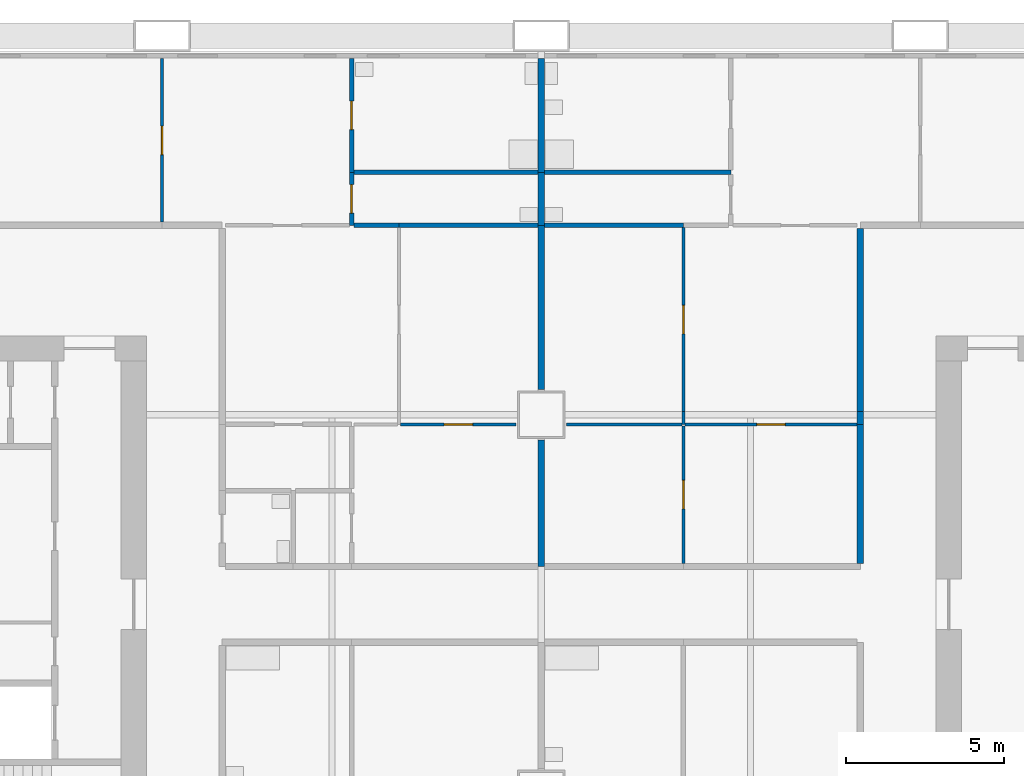
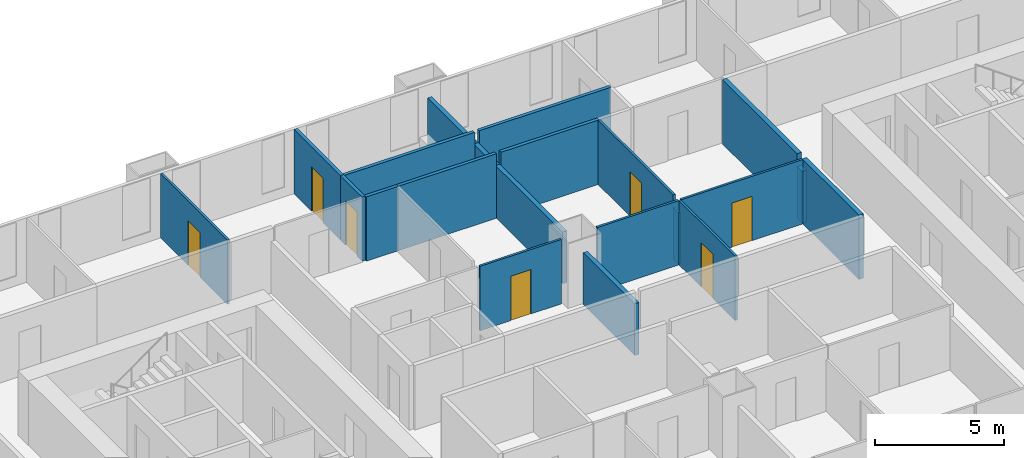
# One storey, part 9 of 14: 21 walls, 7 doors, 7 openings.
"""IFC4 building model written with IfcOpenShell, lengths in metres."""

from ifc_helpers import new_model, si_unit, direction, frame, frame_2d, origin, place, context, subcontext, project, spatial, rectangle, extrude, material, layer, layer_set, type_object, element, fill, save


model = new_model("IFC4")

# Units and contexts
model_context = context("Model", 3, precision=1e-05, world=origin(), true_north=direction((0.0, 1.0)))
body_context = subcontext(model_context, "Body", "Model", "MODEL_VIEW")
ifc_project = project(units=[si_unit("LENGTHUNIT", "METRE"), si_unit("AREAUNIT", "SQUARE_METRE"), si_unit("VOLUMEUNIT", "CUBIC_METRE"), si_unit("PLANEANGLEUNIT", "RADIAN"), si_unit("MASSUNIT", "GRAM", prefix="KILO")], contexts=[model_context])

# Site, building, storey
site_placement = place(None, origin())
site = spatial("IfcSite", under=ifc_project, at=site_placement, CompositionType="ELEMENT")
building_placement = place(site_placement, origin())
building = spatial("IfcBuilding", under=site, at=building_placement, Name="Kitamizu Gate Tower and Museum", CompositionType="ELEMENT")
storey_placement = place(building_placement, frame((0.0, 0.0, 33.449951171875)))
storey = spatial("IfcBuildingStorey", under=building, at=storey_placement, Name="L06", CompositionType="ELEMENT", Elevation=33.449951171875)

# Wall, opening, door
ifc_material_1 = material(Name="Gypsum board on galvanised stud")
ifc_layer_1 = layer(ifc_material_1, 0.10009765625)
ifc_layer_set_1 = layer_set([ifc_layer_1], Name="Gypsum board on galvanised stud")
wall_type_1 = type_object("IfcWallType", Name="Partition 100 NOT RATED", PredefinedType="PARTITIONING", material=ifc_layer_set_1)
wall_1_placement = place(storey_placement, frame((24.0, 42.10009765625, 0.0), z_axis=(0.0, 0.0, 1.0), x_axis=(0.0, 1.0, 0.0)))
wall_1 = element("IfcWall", 1, at=wall_1_placement, inside=storey, type_object=wall_type_1, Name="Partition L06-150", PredefinedType="PARTITIONING", context=body_context, shape_type="SweptSolid", body=[
    extrude(rectangle(XDim=5.179931640625, YDim=0.10009765625, at=frame_2d((2.58984375, 0.0))), origin(), (0.0, 0.0, 1.0), 3.050048828125),
])
opening_1_placement = place(wall_1_placement, frame((2.139892578125, 0.0, 0.0)))
opening_1 = element("IfcOpeningElement", 2, at=opening_1_placement, cuts=wall_1, Name="Opening L06-059", PredefinedType="OPENING", context=body_context, shape_type="SweptSolid", body=[
    extrude(rectangle(XDim=0.89990234375, YDim=2.10009765625, at=frame_2d((0.449951171875, 1.050048828125))), frame((0.0, 0.06005859375, 0.0), z_axis=(0.0, -1.0, 0.0), x_axis=(1.0, 0.0, 0.0)), (0.0, 0.0, 1.0), 0.1201171875),
])
ifc_material_2 = material(Name="Timber door set", Category="wood")
door_type_1 = type_object("IfcDoorType", Name="Room door 900", OperationType="NOTDEFINED", PredefinedType="DOOR", material=ifc_material_2)
door_1_placement = place(opening_1_placement, origin())
door_1 = element("IfcDoor", 3, at=door_1_placement, inside=storey, type_object=door_type_1, Name="Door L06-059", OperationType="SINGLE_SWING_LEFT", OverallHeight=2.10009765625, OverallWidth=0.89990234375, PredefinedType="DOOR", context=body_context, shape_type="SweptSolid", body=[
    extrude(rectangle(XDim=0.89990234375, YDim=2.10009765625, at=frame_2d((0.449951171875, 1.050048828125))), frame((0.0, 0.02490234375, 0.0), z_axis=(0.0, -1.0, 0.0), x_axis=(1.0, 0.0, 0.0)), (0.0, 0.0, 1.0), 0.050048828125),
])
fill(opening_1, door_1)

wall_2_placement = place(storey_placement, frame((31.550048828125, 35.699951171875, 0.0), z_axis=(0.0, 0.0, 1.0), x_axis=(1.0, 0.0, 0.0)))
wall_2 = element("IfcWall", 4, at=wall_2_placement, inside=storey, type_object=wall_type_1, Name="Partition L06-166", PredefinedType="PARTITIONING", context=body_context, shape_type="SweptSolid", body=[
    extrude(rectangle(XDim=3.64990234375, YDim=0.10009765625, at=frame_2d((1.824951171875, 0.0))), origin(), (0.0, 0.0, 1.0), 3.050048828125),
])
opening_2_placement = place(wall_2_placement, frame((1.375, 0.0, 0.0)))
opening_2 = element("IfcOpeningElement", 5, at=opening_2_placement, cuts=wall_2, Name="Opening L06-065", PredefinedType="OPENING", context=body_context, shape_type="SweptSolid", body=[
    extrude(rectangle(XDim=0.89990234375, YDim=2.10009765625, at=frame_2d((0.449951171875, 1.050048828125))), frame((0.0, 0.06005859375, 0.0), z_axis=(0.0, -1.0, 0.0), x_axis=(1.0, 0.0, 0.0)), (0.0, 0.0, 1.0), 0.1201171875),
])
door_2_placement = place(opening_2_placement, frame((0.89990234375, 0.0, 0.0), x_axis=(-1.0, 0.0, 0.0)))
door_2 = element("IfcDoor", 6, at=door_2_placement, inside=storey, type_object=door_type_1, Name="Door L06-065", OperationType="SINGLE_SWING_RIGHT", OverallHeight=2.10009765625, OverallWidth=0.89990234375, PredefinedType="DOOR", context=body_context, shape_type="SweptSolid", body=[
    extrude(rectangle(XDim=0.89990234375, YDim=2.10009765625, at=frame_2d((0.449951171875, 1.050048828125))), frame((0.0, 0.02490234375, 0.0), z_axis=(0.0, -1.0, 0.0), x_axis=(1.0, 0.0, 0.0)), (0.0, 0.0, 1.0), 0.050048828125),
])
fill(opening_2, door_2)

# Wall
wall_3_placement = place(storey_placement, frame((40.5, 35.699951171875, 0.0), z_axis=(0.0, 0.0, 1.0), x_axis=(0.0, 1.0, 0.0)))
element("IfcWall", 7, at=wall_3_placement, inside=storey, type_object=wall_type_1, Name="Partition L06-192", PredefinedType="PARTITIONING", context=body_context, shape_type="SweptSolid", body=[
    extrude(rectangle(XDim=0.400146484375, YDim=0.10009765625, at=frame_2d((0.2001953125, 0.0))), origin(), (0.0, 0.0, 1.0), 2.449951171875),
])

# Wall, opening, door
wall_4_placement = place(storey_placement, frame((40.5, 36.10009765625, 0.0), z_axis=(0.0, 0.0, 1.0), x_axis=(0.0, 1.0, 0.0)))
wall_4 = element("IfcWall", 8, at=wall_4_placement, inside=storey, type_object=wall_type_1, Name="Partition L06-193", PredefinedType="PARTITIONING", context=body_context, shape_type="SweptSolid", body=[
    extrude(rectangle(XDim=5.824951171875, YDim=0.10009765625, at=frame_2d((2.91259765625, 0.0))), origin(), (0.0, 0.0, 1.0), 3.050048828125),
])
opening_3_placement = place(wall_4_placement, frame((2.46240234375, 0.0, 0.0)))
opening_3 = element("IfcOpeningElement", 9, at=opening_3_placement, cuts=wall_4, Name="Opening L06-076", PredefinedType="OPENING", context=body_context, shape_type="SweptSolid", body=[
    extrude(rectangle(XDim=0.89990234375, YDim=2.10009765625, at=frame_2d((0.449951171875, 1.050048828125))), frame((0.0, 0.06005859375, 0.0), z_axis=(0.0, -1.0, 0.0), x_axis=(1.0, 0.0, 0.0)), (0.0, 0.0, 1.0), 0.1201171875),
])
door_3_placement = place(opening_3_placement, origin())
door_3 = element("IfcDoor", 10, at=door_3_placement, inside=storey, type_object=door_type_1, Name="Door L06-076", OperationType="SINGLE_SWING_LEFT", OverallHeight=2.10009765625, OverallWidth=0.89990234375, PredefinedType="DOOR", context=body_context, shape_type="SweptSolid", body=[
    extrude(rectangle(XDim=0.89990234375, YDim=2.10009765625, at=frame_2d((0.449951171875, 1.050048828125))), frame((0.0, 0.02490234375, 0.0), z_axis=(0.0, -1.0, 0.0), x_axis=(1.0, 0.0, 0.0)), (0.0, 0.0, 1.0), 0.050048828125),
])
fill(opening_3, door_3)

# Wall
wall_5_placement = place(storey_placement, frame((36.800048828125, 35.699951171875, 0.0), z_axis=(0.0, 0.0, 1.0), x_axis=(1.0, 0.0, 0.0)))
element("IfcWall", 11, at=wall_5_placement, inside=storey, type_object=wall_type_1, Name="Partition L06-194", PredefinedType="PARTITIONING", context=body_context, shape_type="SweptSolid", body=[
    extrude(rectangle(XDim=3.64990234375, YDim=0.10009765625, at=frame_2d((1.824951171875, 0.0))), origin(), (0.0, 0.0, 1.0), 3.050048828125),
])

# Wall, opening, door
wall_6_placement = place(storey_placement, frame((40.550048828125, 35.699951171875, 0.0), z_axis=(0.0, 0.0, 1.0), x_axis=(1.0, 0.0, 0.0)))
wall_6 = element("IfcWall", 12, at=wall_6_placement, inside=storey, type_object=wall_type_1, Name="Partition L06-195", PredefinedType="PARTITIONING", context=body_context, shape_type="SweptSolid", body=[
    extrude(rectangle(XDim=5.449951171875, YDim=0.10009765625, at=frame_2d((2.72509765625, 0.0))), origin(), (0.0, 0.0, 1.0), 3.050048828125),
])
opening_4_placement = place(wall_6_placement, frame((2.27490234375, 0.0, 0.0)))
opening_4 = element("IfcOpeningElement", 13, at=opening_4_placement, cuts=wall_6, Name="Opening L06-073", PredefinedType="OPENING", context=body_context, shape_type="SweptSolid", body=[
    extrude(rectangle(XDim=0.89990234375, YDim=2.10009765625, at=frame_2d((0.449951171875, 1.050048828125))), frame((0.0, 0.06005859375, 0.0), z_axis=(0.0, -1.0, 0.0), x_axis=(1.0, 0.0, 0.0)), (0.0, 0.0, 1.0), 0.1201171875),
])
door_4_placement = place(opening_4_placement, frame((0.89990234375, 0.0, 0.0), x_axis=(-1.0, 0.0, 0.0)))
door_4 = element("IfcDoor", 14, at=door_4_placement, inside=storey, type_object=door_type_1, Name="Door L06-073", OperationType="SINGLE_SWING_LEFT", OverallHeight=2.10009765625, OverallWidth=0.89990234375, PredefinedType="DOOR", context=body_context, shape_type="SweptSolid", body=[
    extrude(rectangle(XDim=0.89990234375, YDim=2.10009765625, at=frame_2d((0.449951171875, 1.050048828125))), frame((0.0, 0.02490234375, 0.0), z_axis=(0.0, -1.0, 0.0), x_axis=(1.0, 0.0, 0.0)), (0.0, 0.0, 1.0), 0.050048828125),
])
fill(opening_4, door_4)

wall_7_placement = place(storey_placement, frame((40.5, 31.300048828125, 0.0), z_axis=(0.0, 0.0, 1.0), x_axis=(0.0, 1.0, 0.0)))
wall_7 = element("IfcWall", 15, at=wall_7_placement, inside=storey, type_object=wall_type_1, Name="Partition L06-198", PredefinedType="PARTITIONING", context=body_context, shape_type="SweptSolid", body=[
    extrude(rectangle(XDim=4.349853515625, YDim=0.10009765625, at=frame_2d((2.1748046875, 0.0))), origin(), (0.0, 0.0, 1.0), 3.050048828125),
])
opening_5_placement = place(wall_7_placement, frame((1.72509765625, 0.0, 0.0)))
opening_5 = element("IfcOpeningElement", 16, at=opening_5_placement, cuts=wall_7, Name="Opening L06-077", PredefinedType="OPENING", context=body_context, shape_type="SweptSolid", body=[
    extrude(rectangle(XDim=0.89990234375, YDim=2.10009765625, at=frame_2d((0.449951171875, 1.050048828125))), frame((0.0, 0.06005859375, 0.0), z_axis=(0.0, -1.0, 0.0), x_axis=(1.0, 0.0, 0.0)), (0.0, 0.0, 1.0), 0.1201171875),
])
door_5_placement = place(opening_5_placement, origin())
door_5 = element("IfcDoor", 17, at=door_5_placement, inside=storey, type_object=door_type_1, Name="Door L06-077", OperationType="SINGLE_SWING_RIGHT", OverallHeight=2.10009765625, OverallWidth=0.89990234375, PredefinedType="DOOR", context=body_context, shape_type="SweptSolid", body=[
    extrude(rectangle(XDim=0.89990234375, YDim=2.10009765625, at=frame_2d((0.449951171875, 1.050048828125))), frame((0.0, 0.02490234375, 0.0), z_axis=(0.0, -1.0, 0.0), x_axis=(1.0, 0.0, 0.0)), (0.0, 0.0, 1.0), 0.050048828125),
])
fill(opening_5, door_5)

ifc_material_3 = material(Name="Gypsum board on galvanised stud")
ifc_layer_2 = layer(ifc_material_3, 0.14990234375)
ifc_layer_set_2 = layer_set([ifc_layer_2], Name="Gypsum board on galvanised stud")
wall_type_2 = type_object("IfcWallType", Name="Partition 150", PredefinedType="PARTITIONING", material=ifc_layer_set_2)
wall_8_placement = place(storey_placement, frame((30.0, 43.679931640625, 0.0), z_axis=(0.0, 0.0, 1.0), x_axis=(0.0, 1.0, 0.0)))
wall_8 = element("IfcWall", 18, at=wall_8_placement, inside=storey, type_object=wall_type_2, Name="Partition L06-152", PredefinedType="PARTITIONING", context=body_context, shape_type="SweptSolid", body=[
    extrude(rectangle(XDim=3.60009765625, YDim=0.14990234375, at=frame_2d((1.800048828125, 0.0))), origin(), (0.0, 0.0, 1.0), 3.050048828125),
])
opening_6_placement = place(wall_8_placement, frame((1.35009765625, 0.0, 0.0)))
opening_6 = element("IfcOpeningElement", 19, at=opening_6_placement, cuts=wall_8, Name="Opening L06-060", PredefinedType="OPENING", context=body_context, shape_type="SweptSolid", body=[
    extrude(rectangle(XDim=0.89990234375, YDim=2.10009765625, at=frame_2d((0.449951171875, 1.050048828125))), frame((0.0, 0.0849609375, 0.0), z_axis=(0.0, -1.0, 0.0), x_axis=(1.0, 0.0, 0.0)), (0.0, 0.0, 1.0), 0.169921875),
])
ifc_material_4 = material(Name="Timber door set", Category="wood")
door_type_2 = type_object("IfcDoorType", Name="Bathroom door 900", OperationType="NOTDEFINED", PredefinedType="DOOR", material=ifc_material_4)
door_6_placement = place(opening_6_placement, frame((0.89990234375, 0.0, 0.0), x_axis=(-1.0, 0.0, 0.0)))
door_6 = element("IfcDoor", 20, at=door_6_placement, inside=storey, type_object=door_type_2, Name="Bathroom door L06-060", OperationType="SINGLE_SWING_LEFT", OverallHeight=2.10009765625, OverallWidth=0.89990234375, PredefinedType="DOOR", context=body_context, shape_type="SweptSolid", body=[
    extrude(rectangle(XDim=0.89990234375, YDim=2.10009765625, at=frame_2d((0.449951171875, 1.050048828125))), frame((0.0, 0.02490234375, 0.0), z_axis=(0.0, -1.0, 0.0), x_axis=(1.0, 0.0, 0.0)), (0.0, 0.0, 1.0), 0.050048828125),
])
fill(opening_6, door_6)

wall_9_placement = place(storey_placement, frame((30.0, 42.0, 0.0), z_axis=(0.0, 0.0, 1.0), x_axis=(0.0, 1.0, 0.0)))
wall_9 = element("IfcWall", 21, at=wall_9_placement, inside=storey, type_object=wall_type_2, Name="Partition L06-153", PredefinedType="PARTITIONING", context=body_context, shape_type="SweptSolid", body=[
    extrude(rectangle(XDim=1.679931640625, YDim=0.14990234375, at=frame_2d((0.83984375, 0.0))), origin(), (0.0, 0.0, 1.0), 3.050048828125),
])
opening_7_placement = place(wall_9_placement, frame((0.389892578125, 0.0, 0.0)))
opening_7 = element("IfcOpeningElement", 22, at=opening_7_placement, cuts=wall_9, Name="Opening L06-061", PredefinedType="OPENING", context=body_context, shape_type="SweptSolid", body=[
    extrude(rectangle(XDim=0.89990234375, YDim=2.10009765625, at=frame_2d((0.449951171875, 1.050048828125))), frame((0.0, 0.0849609375, 0.0), z_axis=(0.0, -1.0, 0.0), x_axis=(1.0, 0.0, 0.0)), (0.0, 0.0, 1.0), 0.169921875),
])
door_7_placement = place(opening_7_placement, frame((0.89990234375, 0.0, 0.0), x_axis=(-1.0, 0.0, 0.0)))
door_7 = element("IfcDoor", 23, at=door_7_placement, inside=storey, type_object=door_type_2, Name="Bathroom door L06-061", OperationType="SINGLE_SWING_RIGHT", OverallHeight=2.10009765625, OverallWidth=0.89990234375, PredefinedType="DOOR", context=body_context, shape_type="SweptSolid", body=[
    extrude(rectangle(XDim=0.89990234375, YDim=2.10009765625, at=frame_2d((0.449951171875, 1.050048828125))), frame((0.0, 0.02490234375, 0.0), z_axis=(0.0, -1.0, 0.0), x_axis=(1.0, 0.0, 0.0)), (0.0, 0.0, 1.0), 0.050048828125),
])
fill(opening_7, door_7)

# Walls
wall_10_placement = place(storey_placement, frame((30.074951171875, 43.679931640625, 0.0), z_axis=(0.0, 0.0, 1.0), x_axis=(1.0, 0.0, 0.0)))
element("IfcWall", 24, at=wall_10_placement, inside=storey, type_object=wall_type_2, Name="Partition L06-156", PredefinedType="PARTITIONING", context=body_context, shape_type="SweptSolid", body=[
    extrude(rectangle(XDim=5.824951171875, YDim=0.14990234375, at=frame_2d((2.91259765625, 0.0))), origin(), (0.0, 0.0, 1.0), 3.050048828125),
])
wall_11_placement = place(storey_placement, frame((30.074951171875, 42.0, 0.0), z_axis=(0.0, 0.0, 1.0), x_axis=(1.0, 0.0, 0.0)))
element("IfcWall", 25, at=wall_11_placement, inside=storey, type_object=wall_type_2, Name="Partition L06-158", PredefinedType="PARTITIONING", context=body_context, shape_type="SweptSolid", body=[
    extrude(rectangle(XDim=1.425048828125, YDim=0.14990234375, at=frame_2d((0.71240234375, 0.0))), origin(), (0.0, 0.0, 1.0), 3.050048828125),
])
wall_12_placement = place(storey_placement, frame((31.5, 42.0, 0.0), z_axis=(0.0, 0.0, 1.0), x_axis=(1.0, 0.0, 0.0)))
element("IfcWall", 26, at=wall_12_placement, inside=storey, type_object=wall_type_2, Name="Partition L06-159", PredefinedType="PARTITIONING", context=body_context, shape_type="SweptSolid", body=[
    extrude(rectangle(XDim=4.39990234375, YDim=0.14990234375, at=frame_2d((2.199951171875, 0.0))), origin(), (0.0, 0.0, 1.0), 3.050048828125),
])
wall_13_placement = place(storey_placement, frame((36.10009765625, 43.679931640625, 0.0), z_axis=(0.0, 0.0, 1.0), x_axis=(1.0, 0.0, 0.0)))
element("IfcWall", 27, at=wall_13_placement, inside=storey, type_object=wall_type_2, Name="Partition L06-179", PredefinedType="PARTITIONING", context=body_context, shape_type="SweptSolid", body=[
    extrude(rectangle(XDim=5.89990234375, YDim=0.14990234375, at=frame_2d((2.949951171875, 0.0))), origin(), (0.0, 0.0, 1.0), 3.050048828125),
])
wall_14_placement = place(storey_placement, frame((36.10009765625, 42.0, 0.0), z_axis=(0.0, 0.0, 1.0), x_axis=(1.0, 0.0, 0.0)))
element("IfcWall", 28, at=wall_14_placement, inside=storey, type_object=wall_type_2, Name="Partition L06-182", PredefinedType="PARTITIONING", context=body_context, shape_type="SweptSolid", body=[
    extrude(rectangle(XDim=4.39990234375, YDim=0.14990234375, at=frame_2d((2.199951171875, 0.0))), origin(), (0.0, 0.0, 1.0), 3.050048828125),
])
ifc_material_5 = material(Name="Gypsum board on galvanised stud")
ifc_layer_3 = layer(ifc_material_5, 0.199951171875)
ifc_layer_set_3 = layer_set([ifc_layer_3], Name="Gypsum board on galvanised stud")
wall_type_3 = type_object("IfcWallType", Name="Partition 200", PredefinedType="PARTITIONING", material=ifc_layer_set_3)
wall_15_placement = place(storey_placement, frame((36.0, 43.679931640625, 0.0), z_axis=(0.0, 0.0, 1.0), x_axis=(0.0, 1.0, 0.0)))
element("IfcWall", 29, at=wall_15_placement, inside=storey, type_object=wall_type_3, Name="Partition L06-157", PredefinedType="PARTITIONING", context=body_context, shape_type="SweptSolid", body=[
    extrude(rectangle(XDim=3.60009765625, YDim=0.199951171875, at=frame_2d((1.800048828125, 0.0))), origin(), (0.0, 0.0, 1.0), 2.449951171875),
])
wall_16_placement = place(storey_placement, frame((36.0, 42.0, 0.0), z_axis=(0.0, 0.0, 1.0), x_axis=(0.0, 1.0, 0.0)))
element("IfcWall", 30, at=wall_16_placement, inside=storey, type_object=wall_type_3, Name="Partition L06-160", PredefinedType="PARTITIONING", context=body_context, shape_type="SweptSolid", body=[
    extrude(rectangle(XDim=1.679931640625, YDim=0.199951171875, at=frame_2d((0.83984375, 0.0))), origin(), (0.0, 0.0, 1.0), 2.449951171875),
])
wall_17_placement = place(storey_placement, frame((36.0, 36.800048828125, 0.0), z_axis=(0.0, 0.0, 1.0), x_axis=(0.0, 1.0, 0.0)))
element("IfcWall", 31, at=wall_17_placement, inside=storey, type_object=wall_type_3, Name="Partition L06-167", PredefinedType="PARTITIONING", context=body_context, shape_type="SweptSolid", body=[
    extrude(rectangle(XDim=5.199951171875, YDim=0.199951171875, at=frame_2d((2.60009765625, 0.0))), origin(), (0.0, 0.0, 1.0), 2.449951171875),
])
wall_18_placement = place(storey_placement, frame((36.0, 31.199951171875, 0.0), z_axis=(0.0, 0.0, 1.0), x_axis=(0.0, 1.0, 0.0)))
element("IfcWall", 32, at=wall_18_placement, inside=storey, type_object=wall_type_3, Name="Partition L06-177", PredefinedType="PARTITIONING", context=body_context, shape_type="SweptSolid", body=[
    extrude(rectangle(XDim=4.0, YDim=0.199951171875, at=frame_2d((2.0, 0.0))), origin(), (0.0, 0.0, 1.0), 2.449951171875),
])
wall_19_placement = place(storey_placement, frame((46.10009765625, 35.699951171875, 0.0), z_axis=(0.0, 0.0, 1.0), x_axis=(0.0, 1.0, 0.0)))
element("IfcWall", 33, at=wall_19_placement, inside=storey, type_object=wall_type_3, Name="Partition L06-196", PredefinedType="PARTITIONING", context=body_context, shape_type="SweptSolid", body=[
    extrude(rectangle(XDim=0.400146484375, YDim=0.199951171875, at=frame_2d((0.2001953125, 0.0))), origin(), (0.0, 0.0, 1.0), 2.449951171875),
])
wall_20_placement = place(storey_placement, frame((46.10009765625, 36.10009765625, 0.0), z_axis=(0.0, 0.0, 1.0), x_axis=(0.0, 1.0, 0.0)))
element("IfcWall", 34, at=wall_20_placement, inside=storey, type_object=wall_type_3, Name="Partition L06-197", PredefinedType="PARTITIONING", context=body_context, shape_type="SweptSolid", body=[
    extrude(rectangle(XDim=5.7998046875, YDim=0.199951171875, at=frame_2d((2.89990234375, 0.0))), origin(), (0.0, 0.0, 1.0), 3.050048828125),
])
wall_21_placement = place(storey_placement, frame((46.10009765625, 31.300048828125, 0.0), z_axis=(0.0, 0.0, 1.0), x_axis=(0.0, 1.0, 0.0)))
element("IfcWall", 35, at=wall_21_placement, inside=storey, type_object=wall_type_3, Name="Partition L06-201", PredefinedType="PARTITIONING", context=body_context, shape_type="SweptSolid", body=[
    extrude(rectangle(XDim=4.39990234375, YDim=0.199951171875, at=frame_2d((2.199951171875, 0.0))), origin(), (0.0, 0.0, 1.0), 3.050048828125),
])

save(model, "model.ifc")
